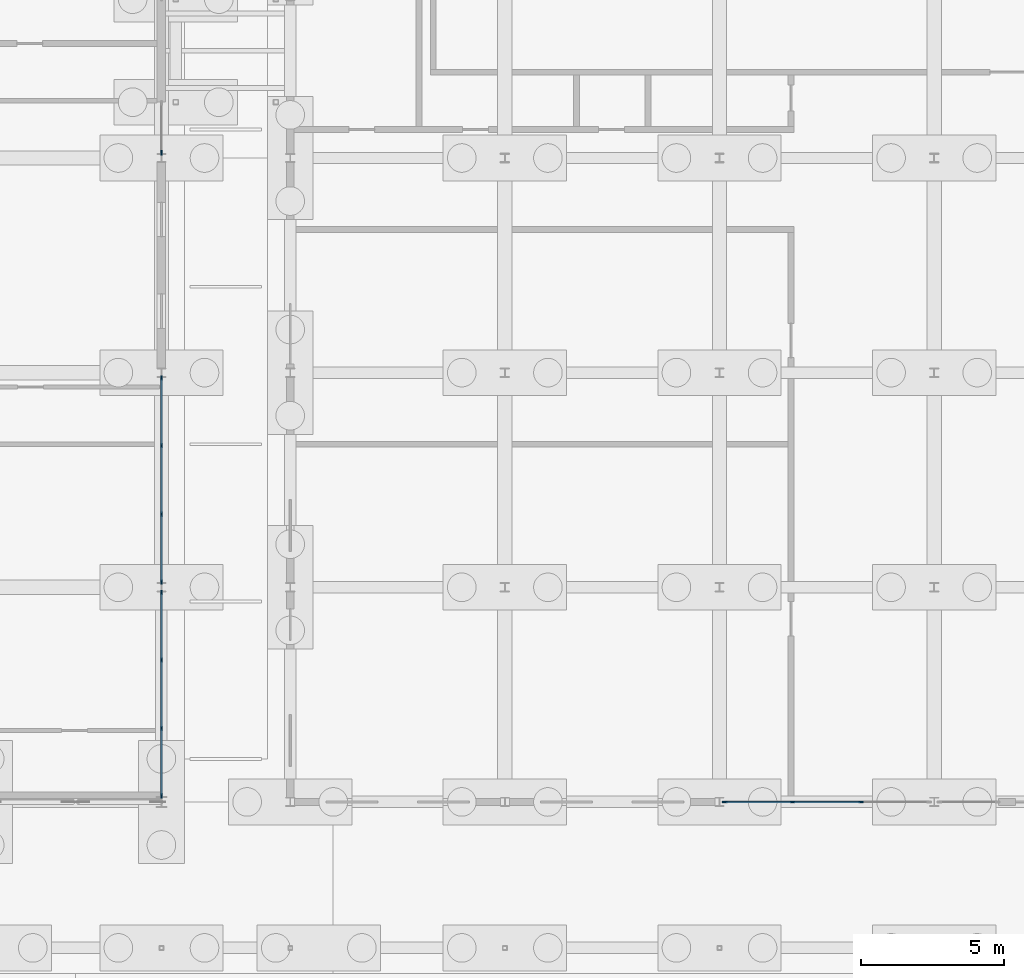
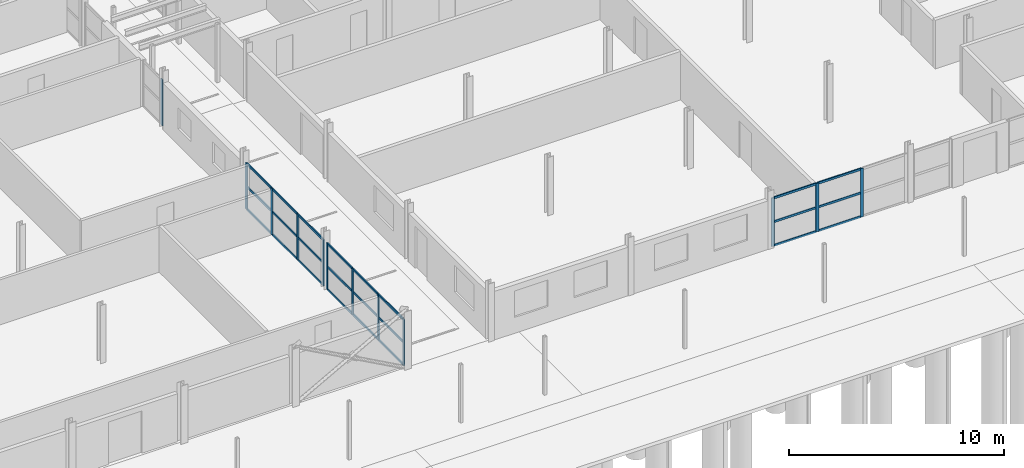
# One storey, part 45 of 130: 36 members, 4 elements without a shape of their own.
"""IFC4 building model written with IfcOpenShell, lengths in metres."""

from ifc_helpers import new_model, si_unit, direction, frame, origin, origin_2d, place, context, subcontext, project, spatial, rectangle, extrude, material, material_profile, profile_set, type_object, element, aggregate, save


model = new_model("IFC4")

# Units and contexts
model_context = context("Model", 3, precision=1e-05, world=origin(), true_north=direction((0.0, 1.0)))
body_context = subcontext(model_context, "Body", "Model", "MODEL_VIEW")
ifc_project = project(units=[si_unit("LENGTHUNIT", "METRE"), si_unit("AREAUNIT", "SQUARE_METRE"), si_unit("VOLUMEUNIT", "CUBIC_METRE"), si_unit("PLANEANGLEUNIT", "RADIAN"), si_unit("MASSUNIT", "GRAM", prefix="KILO")], contexts=[model_context])

# Site, building, storey
site_placement = place(None, origin())
site = spatial("IfcSite", under=ifc_project, at=site_placement, CompositionType="ELEMENT")
building_placement = place(site_placement, origin())
building = spatial("IfcBuilding", under=site, at=building_placement, Name="Parallax Yard Mobility Hub", CompositionType="ELEMENT")
storey_placement = place(building_placement, origin())
storey = spatial("IfcBuildingStorey", under=building, at=storey_placement, Name="L00", CompositionType="ELEMENT", Elevation=0.0)

# Curtain wall, members
ifc_material_1 = material(Name="Thermally broken aluminium curtain wall system", Category="aluminium")
curtain_wall_type = type_object("IfcCurtainWallType", Name="Curtain wall run 60 x 160 frame", PredefinedType="NOTDEFINED", material=ifc_material_1)
curtain_wall_1_placement = place(storey_placement, origin())
curtain_wall_1 = element("IfcCurtainWall", 1, at=curtain_wall_1_placement, inside=storey, type_object=curtain_wall_type, Name="Curtain wall run Bus and taxi deck east end bay 1 level L00", PredefinedType="NOTDEFINED")
ifc_material_2 = material(Name="Extruded aluminium", Category="aluminium")
ifc_material_profile_1 = material_profile(ifc_material_2, rectangle(XDim=0.06005859375, YDim=0.159912109375, at=origin_2d()), Name="Mullion 60 x 160")
ifc_profile_set_1 = profile_set([ifc_material_profile_1], Name="Extruded aluminium")
member_type_1 = type_object("IfcMemberType", Name="Mullion 60 x 160", PredefinedType="MULLION", material=ifc_profile_set_1)
member_1_placement = place(storey_placement, frame((93.0, 7.716552734375, 0.0), z_axis=(0.0, 0.0, 1.0), x_axis=(-1.0, 0.0, 0.0)))
member_1 = element("IfcMember", 2, at=member_1_placement, type_object=member_type_1, Name="CW1 mullion 1", PredefinedType="MULLION", context=body_context, shape_type="SweptSolid", body=[
    extrude(rectangle(XDim=0.06005859375, YDim=0.159912109375, at=origin_2d()), origin(), (0.0, 0.0, 1.0), 2.626953125),
])
member_2_placement = place(storey_placement, frame((93.0, 10.0732421875, 0.0), z_axis=(0.0, 0.0, 1.0), x_axis=(-1.0, 0.0, 0.0)))
member_2 = element("IfcMember", 3, at=member_2_placement, type_object=member_type_1, Name="CW1 mullion 2", PredefinedType="MULLION", context=body_context, shape_type="SweptSolid", body=[
    extrude(rectangle(XDim=0.06005859375, YDim=0.159912109375, at=origin_2d()), origin(), (0.0, 0.0, 1.0), 2.626953125),
])
member_3_placement = place(storey_placement, frame((93.0, 12.459716796875, 0.0), z_axis=(0.0, 0.0, 1.0), x_axis=(-1.0, 0.0, 0.0)))
member_3 = element("IfcMember", 4, at=member_3_placement, type_object=member_type_1, Name="CW1 mullion 3", PredefinedType="MULLION", context=body_context, shape_type="SweptSolid", body=[
    extrude(rectangle(XDim=0.06005859375, YDim=0.159912109375, at=origin_2d()), origin(), (0.0, 0.0, 1.0), 2.626953125),
])
member_4_placement = place(storey_placement, frame((93.0, 14.81640625, 0.0), z_axis=(0.0, 0.0, 1.0), x_axis=(-1.0, 0.0, 0.0)))
member_4 = element("IfcMember", 5, at=member_4_placement, type_object=member_type_1, Name="CW1 mullion 4", PredefinedType="MULLION", context=body_context, shape_type="SweptSolid", body=[
    extrude(rectangle(XDim=0.06005859375, YDim=0.159912109375, at=origin_2d()), origin(), (0.0, 0.0, 1.0), 2.626953125),
])

curtain_wall_2_placement = place(storey_placement, origin())
curtain_wall_2 = element("IfcCurtainWall", 6, at=curtain_wall_2_placement, inside=storey, type_object=curtain_wall_type, Name="Curtain wall run Bus and taxi deck east end bay 2 level L00", PredefinedType="NOTDEFINED")
member_5_placement = place(storey_placement, frame((93.0, 15.18359375, 0.0), z_axis=(0.0, 0.0, 1.0), x_axis=(-1.0, 0.0, 0.0)))
member_5 = element("IfcMember", 7, at=member_5_placement, type_object=member_type_1, Name="CW1 mullion 1", PredefinedType="MULLION", context=body_context, shape_type="SweptSolid", body=[
    extrude(rectangle(XDim=0.06005859375, YDim=0.159912109375, at=origin_2d()), origin(), (0.0, 0.0, 1.0), 2.626953125),
])
member_6_placement = place(storey_placement, frame((93.0, 17.55126953125, 0.0), z_axis=(0.0, 0.0, 1.0), x_axis=(-1.0, 0.0, 0.0)))
member_6 = element("IfcMember", 8, at=member_6_placement, type_object=member_type_1, Name="CW1 mullion 2", PredefinedType="MULLION", context=body_context, shape_type="SweptSolid", body=[
    extrude(rectangle(XDim=0.06005859375, YDim=0.159912109375, at=origin_2d()), origin(), (0.0, 0.0, 1.0), 2.626953125),
])
member_7_placement = place(storey_placement, frame((93.0, 19.94873046875, 0.0), z_axis=(0.0, 0.0, 1.0), x_axis=(-1.0, 0.0, 0.0)))
member_7 = element("IfcMember", 9, at=member_7_placement, type_object=member_type_1, Name="CW1 mullion 3", PredefinedType="MULLION", context=body_context, shape_type="SweptSolid", body=[
    extrude(rectangle(XDim=0.06005859375, YDim=0.159912109375, at=origin_2d()), origin(), (0.0, 0.0, 1.0), 2.626953125),
])
member_8_placement = place(storey_placement, frame((93.0, 22.31640625, 0.0), z_axis=(0.0, 0.0, 1.0), x_axis=(-1.0, 0.0, 0.0)))
member_8 = element("IfcMember", 10, at=member_8_placement, type_object=member_type_1, Name="CW1 mullion 4", PredefinedType="MULLION", context=body_context, shape_type="SweptSolid", body=[
    extrude(rectangle(XDim=0.06005859375, YDim=0.159912109375, at=origin_2d()), origin(), (0.0, 0.0, 1.0), 2.626953125),
])

# Curtain wall, member
curtain_wall_3_placement = place(storey_placement, origin())
curtain_wall_3 = element("IfcCurtainWall", 11, at=curtain_wall_3_placement, inside=storey, type_object=curtain_wall_type, Name="Curtain wall run Bus and taxi deck east end bay 4 level L00", PredefinedType="NOTDEFINED")
member_9_placement = place(storey_placement, frame((93.0, 30.18359375, 0.0), z_axis=(0.0, 0.0, 1.0), x_axis=(-1.0, 0.0, 0.0)))
member_9 = element("IfcMember", 12, at=member_9_placement, type_object=member_type_1, Name="CW1 mullion 1", PredefinedType="MULLION", context=body_context, shape_type="SweptSolid", body=[
    extrude(rectangle(XDim=0.06005859375, YDim=0.159912109375, at=origin_2d()), origin(), (0.0, 0.0, 1.0), 2.626953125),
])
aggregate(curtain_wall_3, [member_9])

# Curtain wall, members
curtain_wall_4_placement = place(storey_placement, origin())
curtain_wall_4 = element("IfcCurtainWall", 13, at=curtain_wall_4_placement, inside=storey, type_object=curtain_wall_type, Name="Curtain wall run Mobility service centre and workshops south bay 3 level L00", PredefinedType="NOTDEFINED")
member_10_placement = place(storey_placement, frame((112.68359375, 7.5, 0.0), z_axis=(0.0, 0.0, 1.0), x_axis=(0.0, 1.0, 0.0)))
member_10 = element("IfcMember", 14, at=member_10_placement, type_object=member_type_1, Name="CW1 mullion 1", PredefinedType="MULLION", context=body_context, shape_type="SweptSolid", body=[
    extrude(rectangle(XDim=0.06005859375, YDim=0.159912109375, at=origin_2d()), origin(), (0.0, 0.0, 1.0), 2.7509765625),
])
member_11_placement = place(storey_placement, frame((115.05126953125, 7.5, 0.0), z_axis=(0.0, 0.0, 1.0), x_axis=(0.0, 1.0, 0.0)))
member_11 = element("IfcMember", 15, at=member_11_placement, type_object=member_type_1, Name="CW1 mullion 2", PredefinedType="MULLION", context=body_context, shape_type="SweptSolid", body=[
    extrude(rectangle(XDim=0.06005859375, YDim=0.159912109375, at=origin_2d()), origin(), (0.0, 0.0, 1.0), 2.7509765625),
])
member_12_placement = place(storey_placement, frame((117.44873046875, 7.5, 0.0), z_axis=(0.0, 0.0, 1.0), x_axis=(0.0, 1.0, 0.0)))
member_12 = element("IfcMember", 16, at=member_12_placement, type_object=member_type_1, Name="CW1 mullion 3", PredefinedType="MULLION", context=body_context, shape_type="SweptSolid", body=[
    extrude(rectangle(XDim=0.06005859375, YDim=0.159912109375, at=origin_2d()), origin(), (0.0, 0.0, 1.0), 2.7509765625),
])

# Member
ifc_material_profile_2 = material_profile(ifc_material_2, rectangle(XDim=0.06005859375, YDim=0.1201171875, at=origin_2d()), Name="Transom 60 x 120")
ifc_profile_set_2 = profile_set([ifc_material_profile_2], Name="Extruded aluminium")
member_type_2 = type_object("IfcMemberType", Name="Transom 60 x 120", PredefinedType="USERDEFINED", material=ifc_profile_set_2)
member_13_placement = place(storey_placement, frame((93.0, 7.74658203125, 0.030029296875), z_axis=(0.0, 1.0, 0.0), x_axis=(-1.0, 0.0, 0.0)))
member_13 = element("IfcMember", 17, at=member_13_placement, type_object=member_type_2, Name="CW1 transom 1.1", ObjectType="TRANSOM", PredefinedType="USERDEFINED", context=body_context, shape_type="SweptSolid", body=[
    extrude(rectangle(XDim=0.06005859375, YDim=0.1201171875, at=origin_2d()), origin(), (0.0, 0.0, 1.0), 2.296630859375),
])

member_14_placement = place(storey_placement, frame((93.0, 7.74658203125, 1.3134765625), z_axis=(0.0, 1.0, 0.0), x_axis=(-1.0, 0.0, 0.0)))
member_14 = element("IfcMember", 18, at=member_14_placement, type_object=member_type_2, Name="CW1 transom 1.2", ObjectType="TRANSOM", PredefinedType="USERDEFINED", context=body_context, shape_type="SweptSolid", body=[
    extrude(rectangle(XDim=0.06005859375, YDim=0.1201171875, at=origin_2d()), origin(), (0.0, 0.0, 1.0), 2.296630859375),
])

member_15_placement = place(storey_placement, frame((93.0, 7.74658203125, 2.596923828125), z_axis=(0.0, 1.0, 0.0), x_axis=(-1.0, 0.0, 0.0)))
member_15 = element("IfcMember", 19, at=member_15_placement, type_object=member_type_2, Name="CW1 transom 1.3", ObjectType="TRANSOM", PredefinedType="USERDEFINED", context=body_context, shape_type="SweptSolid", body=[
    extrude(rectangle(XDim=0.06005859375, YDim=0.1201171875, at=origin_2d()), origin(), (0.0, 0.0, 1.0), 2.296630859375),
])

member_16_placement = place(storey_placement, frame((93.0, 10.103271484375, 0.030029296875), z_axis=(0.0, 1.0, 0.0), x_axis=(-1.0, 0.0, 0.0)))
member_16 = element("IfcMember", 20, at=member_16_placement, type_object=member_type_2, Name="CW1 transom 2.1", ObjectType="TRANSOM", PredefinedType="USERDEFINED", context=body_context, shape_type="SweptSolid", body=[
    extrude(rectangle(XDim=0.06005859375, YDim=0.1201171875, at=origin_2d()), origin(), (0.0, 0.0, 1.0), 2.32666015625),
])

member_17_placement = place(storey_placement, frame((93.0, 10.103271484375, 1.3134765625), z_axis=(0.0, 1.0, 0.0), x_axis=(-1.0, 0.0, 0.0)))
member_17 = element("IfcMember", 21, at=member_17_placement, type_object=member_type_2, Name="CW1 transom 2.2", ObjectType="TRANSOM", PredefinedType="USERDEFINED", context=body_context, shape_type="SweptSolid", body=[
    extrude(rectangle(XDim=0.06005859375, YDim=0.1201171875, at=origin_2d()), origin(), (0.0, 0.0, 1.0), 2.32666015625),
])

member_18_placement = place(storey_placement, frame((93.0, 10.103271484375, 2.596923828125), z_axis=(0.0, 1.0, 0.0), x_axis=(-1.0, 0.0, 0.0)))
member_18 = element("IfcMember", 22, at=member_18_placement, type_object=member_type_2, Name="CW1 transom 2.3", ObjectType="TRANSOM", PredefinedType="USERDEFINED", context=body_context, shape_type="SweptSolid", body=[
    extrude(rectangle(XDim=0.06005859375, YDim=0.1201171875, at=origin_2d()), origin(), (0.0, 0.0, 1.0), 2.32666015625),
])

member_19_placement = place(storey_placement, frame((93.0, 12.48974609375, 0.030029296875), z_axis=(0.0, 1.0, 0.0), x_axis=(-1.0, 0.0, 0.0)))
member_19 = element("IfcMember", 23, at=member_19_placement, type_object=member_type_2, Name="CW1 transom 3.1", ObjectType="TRANSOM", PredefinedType="USERDEFINED", context=body_context, shape_type="SweptSolid", body=[
    extrude(rectangle(XDim=0.06005859375, YDim=0.1201171875, at=origin_2d()), origin(), (0.0, 0.0, 1.0), 2.296875),
])

member_20_placement = place(storey_placement, frame((93.0, 12.48974609375, 1.3134765625), z_axis=(0.0, 1.0, 0.0), x_axis=(-1.0, 0.0, 0.0)))
member_20 = element("IfcMember", 24, at=member_20_placement, type_object=member_type_2, Name="CW1 transom 3.2", ObjectType="TRANSOM", PredefinedType="USERDEFINED", context=body_context, shape_type="SweptSolid", body=[
    extrude(rectangle(XDim=0.06005859375, YDim=0.1201171875, at=origin_2d()), origin(), (0.0, 0.0, 1.0), 2.296875),
])

member_21_placement = place(storey_placement, frame((93.0, 12.48974609375, 2.596923828125), z_axis=(0.0, 1.0, 0.0), x_axis=(-1.0, 0.0, 0.0)))
member_21 = element("IfcMember", 25, at=member_21_placement, type_object=member_type_2, Name="CW1 transom 3.3", ObjectType="TRANSOM", PredefinedType="USERDEFINED", context=body_context, shape_type="SweptSolid", body=[
    extrude(rectangle(XDim=0.06005859375, YDim=0.1201171875, at=origin_2d()), origin(), (0.0, 0.0, 1.0), 2.296875),
])

aggregate(curtain_wall_1, [member_1, member_2, member_3, member_4, member_13, member_14, member_15, member_16, member_17, member_18, member_19, member_20, member_21])

member_22_placement = place(storey_placement, frame((93.0, 15.21337890625, 0.030029296875), z_axis=(0.0, 1.0, 0.0), x_axis=(-1.0, 0.0, 0.0)))
member_22 = element("IfcMember", 26, at=member_22_placement, type_object=member_type_2, Name="CW1 transom 1.1", ObjectType="TRANSOM", PredefinedType="USERDEFINED", context=body_context, shape_type="SweptSolid", body=[
    extrude(rectangle(XDim=0.06005859375, YDim=0.1201171875, at=origin_2d()), origin(), (0.0, 0.0, 1.0), 2.307861328125),
])

member_23_placement = place(storey_placement, frame((93.0, 15.21337890625, 1.3134765625), z_axis=(0.0, 1.0, 0.0), x_axis=(-1.0, 0.0, 0.0)))
member_23 = element("IfcMember", 27, at=member_23_placement, type_object=member_type_2, Name="CW1 transom 1.2", ObjectType="TRANSOM", PredefinedType="USERDEFINED", context=body_context, shape_type="SweptSolid", body=[
    extrude(rectangle(XDim=0.06005859375, YDim=0.1201171875, at=origin_2d()), origin(), (0.0, 0.0, 1.0), 2.307861328125),
])

member_24_placement = place(storey_placement, frame((93.0, 15.21337890625, 2.596923828125), z_axis=(0.0, 1.0, 0.0), x_axis=(-1.0, 0.0, 0.0)))
member_24 = element("IfcMember", 28, at=member_24_placement, type_object=member_type_2, Name="CW1 transom 1.3", ObjectType="TRANSOM", PredefinedType="USERDEFINED", context=body_context, shape_type="SweptSolid", body=[
    extrude(rectangle(XDim=0.06005859375, YDim=0.1201171875, at=origin_2d()), origin(), (0.0, 0.0, 1.0), 2.307861328125),
])

member_25_placement = place(storey_placement, frame((93.0, 17.5810546875, 0.030029296875), z_axis=(0.0, 1.0, 0.0), x_axis=(-1.0, 0.0, 0.0)))
member_25 = element("IfcMember", 29, at=member_25_placement, type_object=member_type_2, Name="CW1 transom 2.1", ObjectType="TRANSOM", PredefinedType="USERDEFINED", context=body_context, shape_type="SweptSolid", body=[
    extrude(rectangle(XDim=0.06005859375, YDim=0.1201171875, at=origin_2d()), origin(), (0.0, 0.0, 1.0), 2.337890625),
])

member_26_placement = place(storey_placement, frame((93.0, 17.5810546875, 1.3134765625), z_axis=(0.0, 1.0, 0.0), x_axis=(-1.0, 0.0, 0.0)))
member_26 = element("IfcMember", 30, at=member_26_placement, type_object=member_type_2, Name="CW1 transom 2.2", ObjectType="TRANSOM", PredefinedType="USERDEFINED", context=body_context, shape_type="SweptSolid", body=[
    extrude(rectangle(XDim=0.06005859375, YDim=0.1201171875, at=origin_2d()), origin(), (0.0, 0.0, 1.0), 2.337890625),
])

member_27_placement = place(storey_placement, frame((93.0, 17.5810546875, 2.596923828125), z_axis=(0.0, 1.0, 0.0), x_axis=(-1.0, 0.0, 0.0)))
member_27 = element("IfcMember", 31, at=member_27_placement, type_object=member_type_2, Name="CW1 transom 2.3", ObjectType="TRANSOM", PredefinedType="USERDEFINED", context=body_context, shape_type="SweptSolid", body=[
    extrude(rectangle(XDim=0.06005859375, YDim=0.1201171875, at=origin_2d()), origin(), (0.0, 0.0, 1.0), 2.337890625),
])

member_28_placement = place(storey_placement, frame((93.0, 19.978759765625, 0.030029296875), z_axis=(0.0, 1.0, 0.0), x_axis=(-1.0, 0.0, 0.0)))
member_28 = element("IfcMember", 32, at=member_28_placement, type_object=member_type_2, Name="CW1 transom 3.1", ObjectType="TRANSOM", PredefinedType="USERDEFINED", context=body_context, shape_type="SweptSolid", body=[
    extrude(rectangle(XDim=0.06005859375, YDim=0.1201171875, at=origin_2d()), origin(), (0.0, 0.0, 1.0), 2.307861328125),
])

member_29_placement = place(storey_placement, frame((93.0, 19.978759765625, 1.3134765625), z_axis=(0.0, 1.0, 0.0), x_axis=(-1.0, 0.0, 0.0)))
member_29 = element("IfcMember", 33, at=member_29_placement, type_object=member_type_2, Name="CW1 transom 3.2", ObjectType="TRANSOM", PredefinedType="USERDEFINED", context=body_context, shape_type="SweptSolid", body=[
    extrude(rectangle(XDim=0.06005859375, YDim=0.1201171875, at=origin_2d()), origin(), (0.0, 0.0, 1.0), 2.307861328125),
])

member_30_placement = place(storey_placement, frame((93.0, 19.978759765625, 2.596923828125), z_axis=(0.0, 1.0, 0.0), x_axis=(-1.0, 0.0, 0.0)))
member_30 = element("IfcMember", 34, at=member_30_placement, type_object=member_type_2, Name="CW1 transom 3.3", ObjectType="TRANSOM", PredefinedType="USERDEFINED", context=body_context, shape_type="SweptSolid", body=[
    extrude(rectangle(XDim=0.06005859375, YDim=0.1201171875, at=origin_2d()), origin(), (0.0, 0.0, 1.0), 2.307861328125),
])

aggregate(curtain_wall_2, [member_5, member_6, member_7, member_8, member_22, member_23, member_24, member_25, member_26, member_27, member_28, member_29, member_30])

member_31_placement = place(storey_placement, frame((112.71337890625, 7.5, 0.030029296875), z_axis=(1.0, 0.0, 0.0), x_axis=(0.0, 1.0, 0.0)))
member_31 = element("IfcMember", 35, at=member_31_placement, type_object=member_type_2, Name="CW1 transom 1.1", ObjectType="TRANSOM", PredefinedType="USERDEFINED", context=body_context, shape_type="SweptSolid", body=[
    extrude(rectangle(XDim=0.06005859375, YDim=0.1201171875, at=origin_2d()), origin(), (0.0, 0.0, 1.0), 2.307861328125),
])

member_32_placement = place(storey_placement, frame((112.71337890625, 7.5, 1.37548828125), z_axis=(1.0, 0.0, 0.0), x_axis=(0.0, 1.0, 0.0)))
member_32 = element("IfcMember", 36, at=member_32_placement, type_object=member_type_2, Name="CW1 transom 1.2", ObjectType="TRANSOM", PredefinedType="USERDEFINED", context=body_context, shape_type="SweptSolid", body=[
    extrude(rectangle(XDim=0.06005859375, YDim=0.1201171875, at=origin_2d()), origin(), (0.0, 0.0, 1.0), 2.307861328125),
])

member_33_placement = place(storey_placement, frame((112.71337890625, 7.5, 2.720947265625), z_axis=(1.0, 0.0, 0.0), x_axis=(0.0, 1.0, 0.0)))
member_33 = element("IfcMember", 37, at=member_33_placement, type_object=member_type_2, Name="CW1 transom 1.3", ObjectType="TRANSOM", PredefinedType="USERDEFINED", context=body_context, shape_type="SweptSolid", body=[
    extrude(rectangle(XDim=0.06005859375, YDim=0.1201171875, at=origin_2d()), origin(), (0.0, 0.0, 1.0), 2.307861328125),
])

member_34_placement = place(storey_placement, frame((115.0810546875, 7.5, 0.030029296875), z_axis=(1.0, 0.0, 0.0), x_axis=(0.0, 1.0, 0.0)))
member_34 = element("IfcMember", 38, at=member_34_placement, type_object=member_type_2, Name="CW1 transom 2.1", ObjectType="TRANSOM", PredefinedType="USERDEFINED", context=body_context, shape_type="SweptSolid", body=[
    extrude(rectangle(XDim=0.06005859375, YDim=0.1201171875, at=origin_2d()), origin(), (0.0, 0.0, 1.0), 2.337890625),
])

member_35_placement = place(storey_placement, frame((115.0810546875, 7.5, 1.37548828125), z_axis=(1.0, 0.0, 0.0), x_axis=(0.0, 1.0, 0.0)))
member_35 = element("IfcMember", 39, at=member_35_placement, type_object=member_type_2, Name="CW1 transom 2.2", ObjectType="TRANSOM", PredefinedType="USERDEFINED", context=body_context, shape_type="SweptSolid", body=[
    extrude(rectangle(XDim=0.06005859375, YDim=0.1201171875, at=origin_2d()), origin(), (0.0, 0.0, 1.0), 2.337890625),
])

member_36_placement = place(storey_placement, frame((115.0810546875, 7.5, 2.720947265625), z_axis=(1.0, 0.0, 0.0), x_axis=(0.0, 1.0, 0.0)))
member_36 = element("IfcMember", 40, at=member_36_placement, type_object=member_type_2, Name="CW1 transom 2.3", ObjectType="TRANSOM", PredefinedType="USERDEFINED", context=body_context, shape_type="SweptSolid", body=[
    extrude(rectangle(XDim=0.06005859375, YDim=0.1201171875, at=origin_2d()), origin(), (0.0, 0.0, 1.0), 2.337890625),
])

aggregate(curtain_wall_4, [member_10, member_11, member_12, member_31, member_32, member_33, member_34, member_35, member_36])

save(model, "model.ifc")
